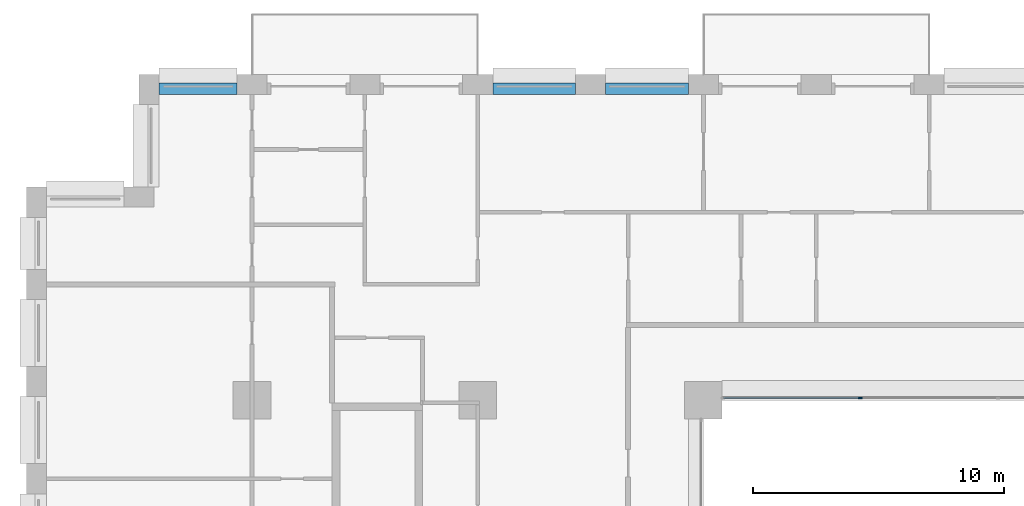
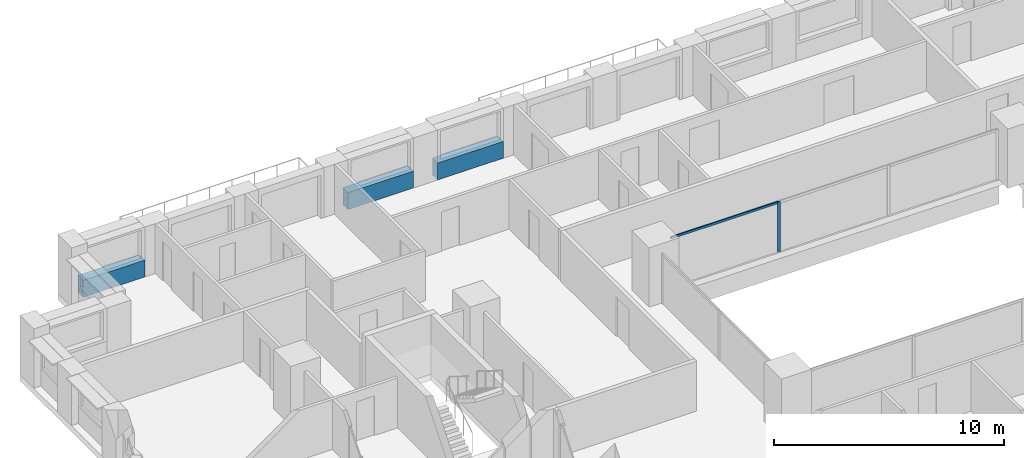
# One storey, part 6 of 20: 3 beams, 2 members, 1 element without a shape of its own.
"""IFC4 building model written with IfcOpenShell, lengths in metres."""

from ifc_helpers import new_model, si_unit, direction, frame, origin, origin_2d, place, context, subcontext, project, spatial, rectangle, extrude, material, layer, layer_set, material_profile, profile_set, type_object, element, aggregate, save


model = new_model("IFC4")

# Units and contexts
model_context = context("Model", 3, precision=1e-05, world=origin(), true_north=direction((0.0, 1.0)))
body_context = subcontext(model_context, "Body", "Model", "MODEL_VIEW")
ifc_project = project(units=[si_unit("LENGTHUNIT", "METRE"), si_unit("AREAUNIT", "SQUARE_METRE"), si_unit("VOLUMEUNIT", "CUBIC_METRE"), si_unit("PLANEANGLEUNIT", "RADIAN"), si_unit("MASSUNIT", "GRAM", prefix="KILO")], contexts=[model_context])

# Site, building, storey
site_placement = place(None, origin())
site = spatial("IfcSite", under=ifc_project, at=site_placement, CompositionType="ELEMENT")
building_placement = place(site_placement, origin())
building = spatial("IfcBuilding", under=site, at=building_placement, Name="Brigalow Station Residences", CompositionType="ELEMENT")
storey_placement = place(building_placement, frame((0.0, 0.0, 69.89990234375)))
storey = spatial("IfcBuildingStorey", under=building, at=storey_placement, Name="L20", CompositionType="ELEMENT", Elevation=69.89990234375)

# Curtain wall, members
ifc_material_1 = material(Name="Aluminium", Category="aluminium")
ifc_layer = layer(ifc_material_1, 0.14990234375)
ifc_layer_set = layer_set([ifc_layer], Name="ATRIUM FIRE-RATED GLAZING CURTAIN WALL")
curtain_wall_type = type_object("IfcCurtainWallType", Name="ATRIUM FIRE-RATED GLAZING CURTAIN WALL", PredefinedType="NOTDEFINED", material=ifc_layer_set)
curtain_wall_placement = place(storey_placement, origin())
curtain_wall = element("IfcCurtainWall", 1, at=curtain_wall_placement, inside=storey, type_object=curtain_wall_type, Name="L20/cw/atrium-N", PredefinedType="NOTDEFINED")
ifc_material_2 = material(Name="Aluminium", Category="aluminium")
ifc_material_profile_1 = material_profile(ifc_material_2, rectangle(XDim=0.06005859375, YDim=0.14990234375, at=origin_2d()), Name="ATRIUM FIRE-RATED GLAZING MULLION 60x150")
ifc_profile_set_1 = profile_set([ifc_material_profile_1], Name="Aluminium")
member_type_1 = type_object("IfcMemberType", Name="ATRIUM FIRE-RATED GLAZING MULLION 60x150", PredefinedType="MULLION", material=ifc_profile_set_1)
member_1_placement = place(storey_placement, frame((33.25, 35.60009765625, 0.0), z_axis=(0.0, 0.0, 1.0), x_axis=(0.0, -1.0, 0.0)))
member_1 = element("IfcMember", 2, at=member_1_placement, type_object=member_type_1, Name="L20/cw/atrium-N/M02", PredefinedType="MULLION", context=body_context, shape_type="SweptSolid", body=[
    extrude(rectangle(XDim=0.06005859375, YDim=0.14990234375, at=origin_2d()), origin(), (0.0, 0.0, 1.0), 2.650146484375),
])
ifc_material_3 = material(Name="Aluminium", Category="aluminium")
ifc_material_profile_2 = material_profile(ifc_material_3, rectangle(XDim=0.06005859375, YDim=0.1201171875, at=origin_2d()), Name="ATRIUM FIRE-RATED GLAZING TRANSOM 60x120")
ifc_profile_set_2 = profile_set([ifc_material_profile_2], Name="Aluminium")
member_type_2 = type_object("IfcMemberType", Name="ATRIUM FIRE-RATED GLAZING TRANSOM 60x120", PredefinedType="USERDEFINED", material=ifc_profile_set_2)
member_2_placement = place(storey_placement, frame((33.219970703125, 35.60009765625, 2.6201171875), z_axis=(-1.0, 0.0, 0.0), x_axis=(0.0, -1.0, 0.0)))
member_2 = element("IfcMember", 3, at=member_2_placement, type_object=member_type_2, Name="L20/cw/atrium-N/T02-00", ObjectType="TRANSOM", PredefinedType="USERDEFINED", context=body_context, shape_type="SweptSolid", body=[
    extrude(rectangle(XDim=0.06005859375, YDim=0.1201171875, at=origin_2d()), origin(), (0.0, 0.0, 1.0), 5.409912109375),
])
aggregate(curtain_wall, [member_1, member_2])

# Beams
ifc_material_4 = material(Name="Concrete C65", Category="concrete")
ifc_material_profile_3 = material_profile(ifc_material_4, rectangle(XDim=0.449951171875, YDim=0.89990234375, at=origin_2d()), Name="RC450x900")
ifc_profile_set_3 = profile_set([ifc_material_profile_3], Name="Concrete C65")
beam_type = type_object("IfcBeamType", Name="SPANDREL BEAM 450x900 C65", PredefinedType="SPANDREL", material=ifc_profile_set_3)
for number, where, z_axis, x_axis, name in (
    (4, (26.39990234375, 47.925048828125, 0.4501953125), (-1.0, 0.0, 0.0), (0.0, -1.0, 0.0), "L20/spandrel/W-L20-35"),
    (5, (21.89990234375, 47.925048828125, 0.4501953125), (-1.0, 0.0, 0.0), (0.0, -1.0, 0.0), "L20/spandrel/W-L20-36"),
):
    element("IfcBeam", number, at=place(storey_placement, frame(where, z_axis=z_axis, x_axis=x_axis)), inside=storey, type_object=beam_type, Name=name, PredefinedType="SPANDREL", context=body_context, shape_type="SweptSolid", body=[
        extrude(rectangle(XDim=0.449951171875, YDim=0.89990234375, at=origin_2d()), origin(), (0.0, 0.0, 1.0), 3.2998046875),
    ])
beam_placement = place(storey_placement, frame((8.39990234375, 47.925048828125, 0.4501953125), z_axis=(-1.0, 0.0, 0.0), x_axis=(0.0, -1.0, 0.0)))
element("IfcBeam", 6, at=beam_placement, inside=storey, type_object=beam_type, Name="L20/spandrel/W-L20-39", PredefinedType="SPANDREL", context=body_context, shape_type="SweptSolid", body=[
    extrude(rectangle(XDim=0.449951171875, YDim=0.89990234375, at=origin_2d()), origin(), (0.0, 0.0, 1.0), 3.099853515625),
])

save(model, "model.ifc")
